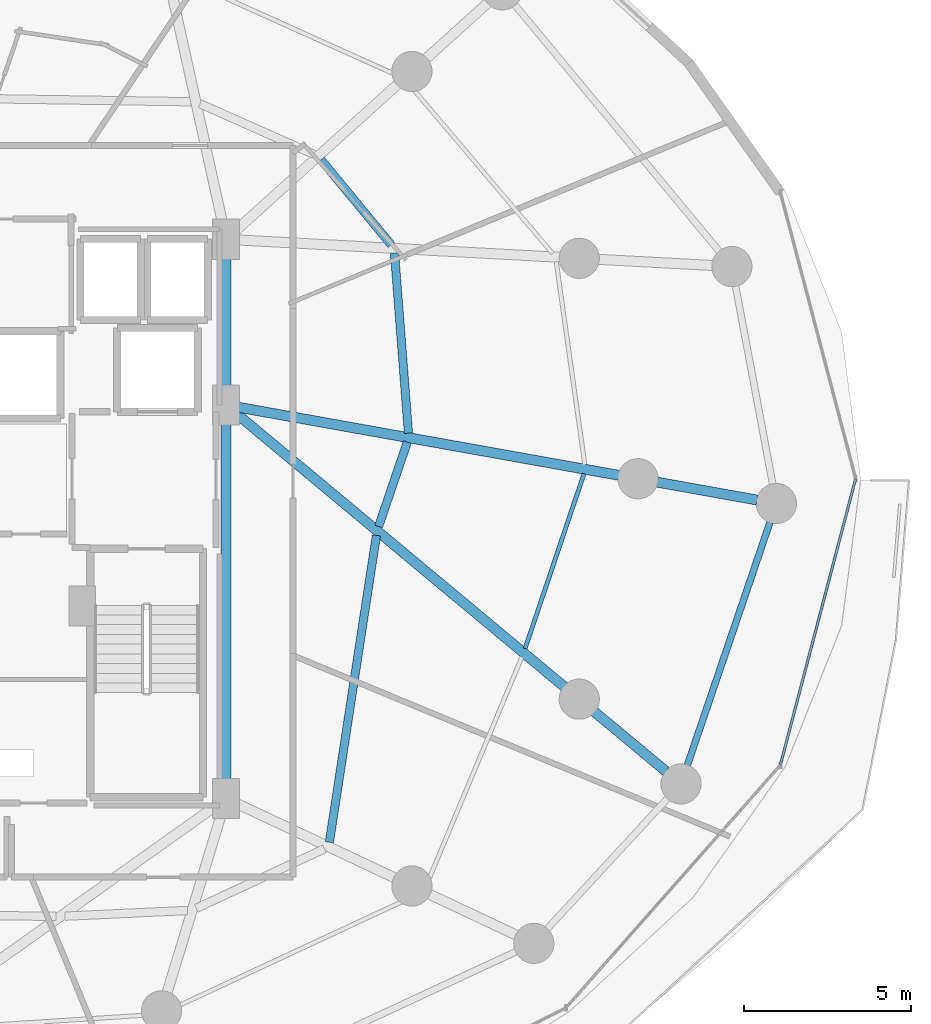
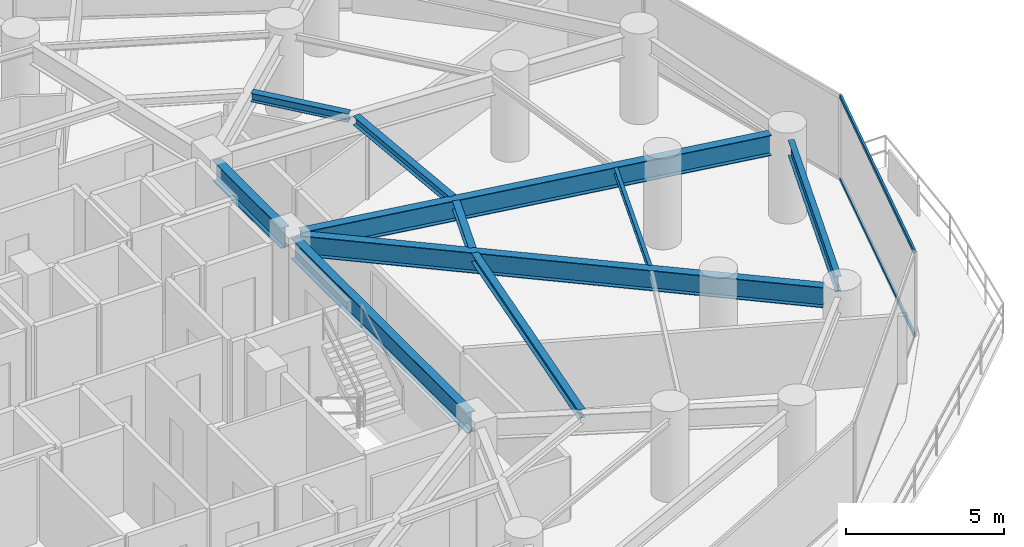
# One storey, part 15 of 35: 10 beams, 2 members, 1 element without a shape of its own.
"""IFC4 building model written with IfcOpenShell, lengths in metres."""

from ifc_helpers import new_model, si_unit, direction, frame, origin, origin_2d, place, context, subcontext, project, spatial, hollow_rectangle, i_section, extrude, material, material_profile, profile_set, type_object, element, aggregate, save


model = new_model("IFC4")

# Units and contexts
model_context = context("Model", 3, precision=1e-05, world=origin(), true_north=direction((0.0, 1.0)))
body_context = subcontext(model_context, "Body", "Model", "MODEL_VIEW")
ifc_project = project(units=[si_unit("LENGTHUNIT", "METRE"), si_unit("AREAUNIT", "SQUARE_METRE"), si_unit("VOLUMEUNIT", "CUBIC_METRE"), si_unit("PLANEANGLEUNIT", "RADIAN"), si_unit("MASSUNIT", "GRAM", prefix="KILO")], contexts=[model_context])

# Site, building, storey
site_placement = place(None, origin())
site = spatial("IfcSite", under=ifc_project, at=site_placement, CompositionType="ELEMENT")
building_placement = place(site_placement, origin())
building = spatial("IfcBuilding", under=site, at=building_placement, Name="Vorneva Point Tower", CompositionType="ELEMENT")
storey_placement = place(building_placement, frame((0.0, 0.0, 52.0)))
storey = spatial("IfcBuildingStorey", under=building, at=storey_placement, Name="L13", CompositionType="ELEMENT", Elevation=52.0)

# Beams
ifc_material_1 = material(Name="Steel S355", Category="steel")
ifc_material_profile_1 = material_profile(ifc_material_1, i_section(OverallWidth=0.300048828125, OverallDepth=0.7880859375, WebThickness=0.014404296875, FlangeThickness=0.02197265625, at=origin_2d()), Name="80Sh1")
ifc_profile_set_1 = profile_set([ifc_material_profile_1], Name="Steel S355")
beam_type_1 = type_object("IfcBeamType", Name="BM-GRD-80Sh1", PredefinedType="USERDEFINED", material=ifc_profile_set_1)
beam_1_placement = place(storey_placement, frame((64.603271484375, 25.364501953125, 2.845947265625), z_axis=(-0.984378532035, 0.176065060895, 0.0), x_axis=(-0.176065060895, -0.984378532035, 0.0)))
element("IfcBeam", 1, at=beam_1_placement, inside=storey, type_object=beam_type_1, Name="L13 Radial Primary Girder 01", ObjectType="GIRDER", PredefinedType="USERDEFINED", context=body_context, shape_type="SweptSolid", body=[
    extrude(i_section(OverallWidth=0.300048828125, OverallDepth=0.7880859375, WebThickness=0.014404296875, FlangeThickness=0.02197265625, at=origin_2d()), origin(), (0.0, 0.0, 1.0), 15.764892578125),
])
beam_2_placement = place(storey_placement, frame((61.883056640625, 17.2626953125, 2.845947265625), z_axis=(-0.768420748131, 0.639944961572, 0.0), x_axis=(-0.639944961572, -0.768420748131, 0.0)))
element("IfcBeam", 2, at=beam_2_placement, inside=storey, type_object=beam_type_1, Name="L13 Radial Primary Girder 16", ObjectType="GIRDER", PredefinedType="USERDEFINED", context=body_context, shape_type="SweptSolid", body=[
    extrude(i_section(OverallWidth=0.300048828125, OverallDepth=0.7880859375, WebThickness=0.014404296875, FlangeThickness=0.02197265625, at=origin_2d()), origin(), (0.0, 0.0, 1.0), 16.7509765625),
])
beam_3_placement = place(storey_placement, frame((48.75, 16.77001953125, 2.845947265625), z_axis=(0.0, 1.0, 0.0), x_axis=(-1.0, 0.0, 0.0)))
element("IfcBeam", 3, at=beam_3_placement, inside=storey, type_object=beam_type_1, Name="L13 Core Tie Girder CT3", ObjectType="GIRDER", PredefinedType="USERDEFINED", context=body_context, shape_type="SweptSolid", body=[
    extrude(i_section(OverallWidth=0.300048828125, OverallDepth=0.7880859375, WebThickness=0.014404296875, FlangeThickness=0.02197265625, at=origin_2d()), origin(), (0.0, 0.0, 1.0), 11.10986328125),
])
beam_4_placement = place(storey_placement, frame((48.75, 28.52001953125, 2.845947265625), z_axis=(0.0, 1.0, 0.0), x_axis=(-1.0, 0.0, 0.0)))
element("IfcBeam", 4, at=beam_4_placement, inside=storey, type_object=beam_type_1, Name="L13 Core Tie Girder CT4", ObjectType="GIRDER", PredefinedType="USERDEFINED", context=body_context, shape_type="SweptSolid", body=[
    extrude(i_section(OverallWidth=0.300048828125, OverallDepth=0.7880859375, WebThickness=0.014404296875, FlangeThickness=0.02197265625, at=origin_2d()), origin(), (0.0, 0.0, 1.0), 4.31005859375),
])
ifc_material_profile_2 = material_profile(ifc_material_1, i_section(OverallWidth=0.1240234375, OverallDepth=0.248046875, WebThickness=0.0048828125, FlangeThickness=0.008056640625, at=origin_2d()), Name="25B1")
ifc_profile_set_2 = profile_set([ifc_material_profile_2], Name="Steel S355")
beam_type_2 = type_object("IfcBeamType", Name="BM-JST-25B1", PredefinedType="JOIST", material=ifc_profile_set_2)
beam_5_placement = place(storey_placement, frame((57.679443359375, 20.930908203125, 3.115966796875), z_axis=(0.31932490039, 0.947645296507, 0.0), x_axis=(-0.947645296507, 0.31932490039, 0.0)))
element("IfcBeam", 5, at=beam_5_placement, inside=storey, type_object=beam_type_2, Name="L13 Secondary Floor Beam 1.16", PredefinedType="JOIST", context=body_context, shape_type="SweptSolid", body=[
    extrude(i_section(OverallWidth=0.1240234375, OverallDepth=0.248046875, WebThickness=0.0048828125, FlangeThickness=0.008056640625, at=origin_2d()), origin(), (0.0, 0.0, 1.0), 5.507080078125),
])
ifc_material_profile_3 = material_profile(ifc_material_1, i_section(OverallWidth=0.2490234375, OverallDepth=0.333984375, WebThickness=0.008056640625, FlangeThickness=0.010986328125, at=origin_2d()), Name="35Sh1")
ifc_profile_set_3 = profile_set([ifc_material_profile_3], Name="Steel S355")
beam_type_3 = type_object("IfcBeamType", Name="BM-SEC-35Sh1", PredefinedType="BEAM", material=ifc_profile_set_3)
beam_6_placement = place(storey_placement, frame((54.1953125, 27.36181640625, 3.072998046875), z_axis=(-0.077180832693, 0.997017110718, 0.0), x_axis=(-0.997017110718, -0.077180832693, 0.0)))
element("IfcBeam", 6, at=beam_6_placement, inside=storey, type_object=beam_type_3, Name="L13 Secondary Floor Beam 2.01", PredefinedType="BEAM", context=body_context, shape_type="SweptSolid", body=[
    extrude(i_section(OverallWidth=0.2490234375, OverallDepth=0.333984375, WebThickness=0.008056640625, FlangeThickness=0.010986328125, at=origin_2d()), origin(), (0.0, 0.0, 1.0), 5.396484375),
])
beam_7_placement = place(storey_placement, frame((53.680419921875, 32.986083984375, 3.072998046875), z_axis=(-0.636632252711, 0.771167540038, 0.0), x_axis=(-0.771167540038, -0.636632252711, 0.0)))
element("IfcBeam", 7, at=beam_7_placement, inside=storey, type_object=beam_type_3, Name="L13 Secondary Floor Beam 2.02", PredefinedType="BEAM", context=body_context, shape_type="SweptSolid", body=[
    extrude(i_section(OverallWidth=0.2490234375, OverallDepth=0.333984375, WebThickness=0.008056640625, FlangeThickness=0.010986328125, at=origin_2d()), origin(), (0.0, 0.0, 1.0), 3.291748046875),
])
beam_8_placement = place(storey_placement, frame((51.833740234375, 15.14453125, 3.072998046875), z_axis=(0.151471423074, 0.988461637087, 0.0), x_axis=(-0.988461637087, 0.151471423074, 0.0)))
element("IfcBeam", 8, at=beam_8_placement, inside=storey, type_object=beam_type_3, Name="L13 Secondary Floor Beam 2.15", PredefinedType="BEAM", context=body_context, shape_type="SweptSolid", body=[
    extrude(i_section(OverallWidth=0.2490234375, OverallDepth=0.333984375, WebThickness=0.008056640625, FlangeThickness=0.010986328125, at=origin_2d()), origin(), (0.0, 0.0, 1.0), 9.27099609375),
])
beam_9_placement = place(storey_placement, frame((53.303466796875, 24.57568359375, 3.072998046875), z_axis=(0.322526289191, 0.946560506666, 0.0), x_axis=(-0.946560506666, 0.322526289191, 0.0)))
element("IfcBeam", 9, at=beam_9_placement, inside=storey, type_object=beam_type_3, Name="L13 Secondary Floor Beam 2.16", PredefinedType="BEAM", context=body_context, shape_type="SweptSolid", body=[
    extrude(i_section(OverallWidth=0.2490234375, OverallDepth=0.333984375, WebThickness=0.008056640625, FlangeThickness=0.010986328125, at=origin_2d()), origin(), (0.0, 0.0, 1.0), 2.659912109375),
])
ifc_material_profile_4 = material_profile(ifc_material_1, i_section(OverallWidth=0.198974609375, OverallDepth=0.595947265625, WebThickness=0.010009765625, FlangeThickness=0.014892578125, at=origin_2d()), Name="60B1")
ifc_profile_set_4 = profile_set([ifc_material_profile_4], Name="Steel S355")
beam_type_4 = type_object("IfcBeamType", Name="BM-SPN-60B1", PredefinedType="SPANDREL", material=ifc_profile_set_4)
beam_10_placement = place(storey_placement, frame((62.523193359375, 17.4404296875, 2.94189453125), z_axis=(0.321909576381, 0.946770418124, 0.0), x_axis=(-0.946770418124, 0.321909576381, 0.0)))
element("IfcBeam", 10, at=beam_10_placement, inside=storey, type_object=beam_type_4, Name="L13 Perimeter Spandrel Ring Beam 16", PredefinedType="SPANDREL", context=body_context, shape_type="SweptSolid", body=[
    extrude(i_section(OverallWidth=0.198974609375, OverallDepth=0.595947265625, WebThickness=0.010009765625, FlangeThickness=0.014892578125, at=origin_2d()), origin(), (0.0, 0.0, 1.0), 7.675048828125),
])

# Curtain wall, members
ifc_material_2 = material(Name="Pale anodised aluminium", Category="aluminium")
curtain_wall_type = type_object("IfcCurtainWallType", Name="CW-HTL-SYS", PredefinedType="NOTDEFINED", material=ifc_material_2)
curtain_wall_placement = place(storey_placement, origin())
curtain_wall = element("IfcCurtainWall", 11, at=curtain_wall_placement, inside=storey, type_object=curtain_wall_type, Name="L13 Unitised Curtain Wall CW-L13-R01", PredefinedType="NOTDEFINED")
ifc_material_profile_5 = material_profile(ifc_material_2, hollow_rectangle(XDim=0.074951171875, YDim=0.14990234375, WallThickness=0.00390625, at=origin_2d()), Name="AL-TRN 150x75x4")
ifc_profile_set_5 = profile_set([ifc_material_profile_5], Name="Pale anodised aluminium")
member_type = type_object("IfcMemberType", Name="CW-TRN-150", PredefinedType="USERDEFINED", material=ifc_profile_set_5)
member_1_placement = place(storey_placement, frame((65.300537109375, 17.447021484375, 0.02001953125), z_axis=(0.254358772746, 0.967109928978, 0.0), x_axis=(-0.967109928978, 0.254358772746, 0.0)))
member_1 = element("IfcMember", 12, at=member_1_placement, type_object=member_type, Name="CW-L13-R01 Transom 03.1", ObjectType="TRANSOM", PredefinedType="USERDEFINED", context=body_context, shape_type="SweptSolid", body=[
    extrude(hollow_rectangle(XDim=0.074951171875, YDim=0.14990234375, WallThickness=0.00390625, at=origin_2d()), origin(), (0.0, 0.0, 1.0), 8.84375),
])
member_2_placement = place(storey_placement, frame((65.300537109375, 17.447021484375, 3.219970703125), z_axis=(0.254358772746, 0.967109928978, 0.0), x_axis=(-0.967109928978, 0.254358772746, 0.0)))
member_2 = element("IfcMember", 13, at=member_2_placement, type_object=member_type, Name="CW-L13-R01 Transom 03.2", ObjectType="TRANSOM", PredefinedType="USERDEFINED", context=body_context, shape_type="SweptSolid", body=[
    extrude(hollow_rectangle(XDim=0.074951171875, YDim=0.14990234375, WallThickness=0.00390625, at=origin_2d()), origin(), (0.0, 0.0, 1.0), 8.84375),
])
aggregate(curtain_wall, [member_1, member_2])

save(model, "model.ifc")
